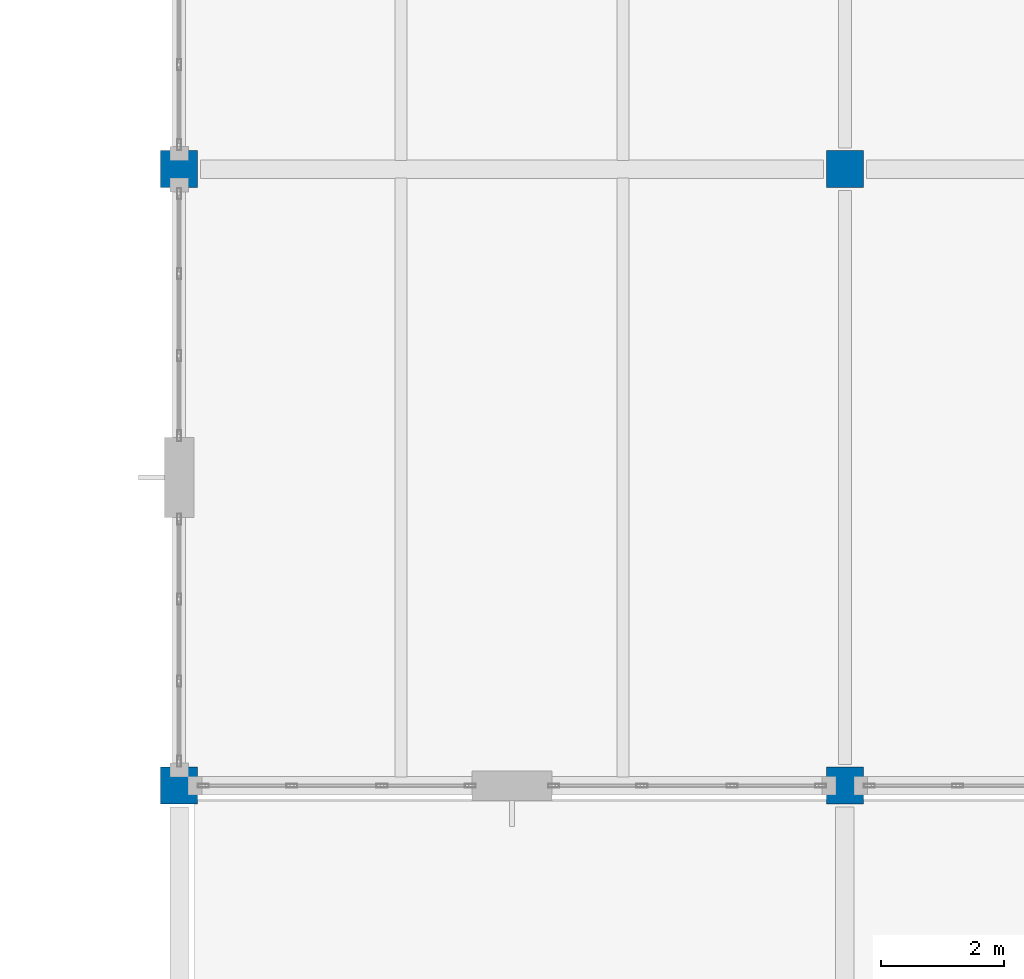
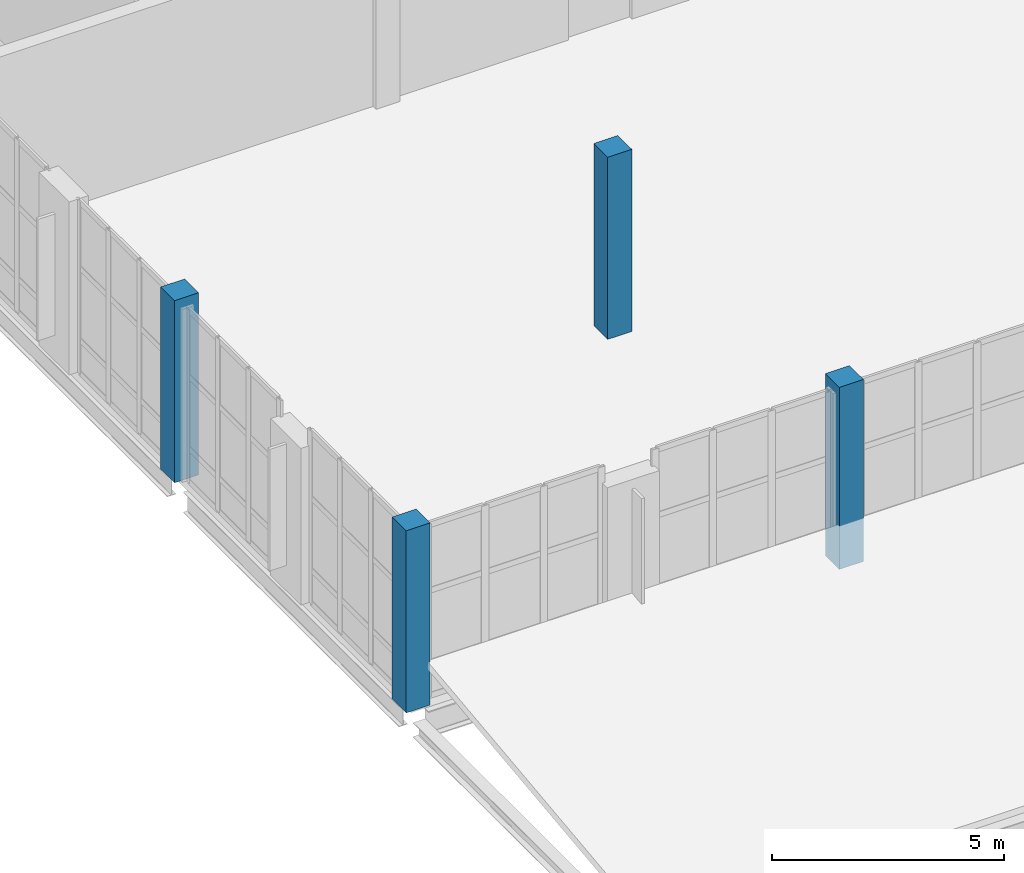
# One storey, part 3 of 100: 4 columns.
"""IFC4 building model written with IfcOpenShell, lengths in metres."""

from ifc_helpers import new_model, si_unit, direction, frame, origin, origin_2d, place, context, subcontext, project, spatial, rectangle, extrude, material, material_profile, profile_set, type_object, element, save


model = new_model("IFC4")

# Units and contexts
model_context = context("Model", 3, precision=1e-05, world=origin(), true_north=direction((0.0, 1.0)))
body_context = subcontext(model_context, "Body", "Model", "MODEL_VIEW")
ifc_project = project(units=[si_unit("LENGTHUNIT", "METRE"), si_unit("AREAUNIT", "SQUARE_METRE"), si_unit("VOLUMEUNIT", "CUBIC_METRE"), si_unit("PLANEANGLEUNIT", "RADIAN"), si_unit("MASSUNIT", "GRAM", prefix="KILO")], contexts=[model_context])

# Site, building, storey
site_placement = place(None, origin())
site = spatial("IfcSite", under=ifc_project, at=site_placement, CompositionType="ELEMENT")
building_placement = place(site_placement, origin())
building = spatial("IfcBuilding", under=site, at=building_placement, Name="Tasgan Crest Museum", CompositionType="ELEMENT")
storey_placement = place(building_placement, frame((0.0, 0.0, 9.60009765625)))
storey = spatial("IfcBuildingStorey", under=building, at=storey_placement, Name="L02", CompositionType="ELEMENT", Elevation=9.60009765625)

# Columns
ifc_material = material(Name="Concrete C40/50", Category="concrete")
ifc_material_profile = material_profile(ifc_material, rectangle(XDim=0.60009765625, YDim=0.60009765625, at=origin_2d()), Name="RC 600x600")
ifc_profile_set = profile_set([ifc_material_profile], Name="Concrete C40/50")
column_type = type_object("IfcColumnType", Name="COL-RC600", PredefinedType="COLUMN", material=ifc_profile_set)
for number, where, z_axis, x_axis, name in (
    (1, (108.0, 20.0, 0.0), (0.0, 0.0, 1.0), (1.0, 0.0, 0.0), "Column 11/C L02"),
    (2, (108.0, 30.0, 0.0), (0.0, 0.0, 1.0), (1.0, 0.0, 0.0), "Column 11/D L02"),
    (3, (118.800048828125, 20.0, 0.0), (0.0, 0.0, 1.0), (1.0, 0.0, 0.0), "Column 12/C L02"),
    (4, (118.800048828125, 30.0, 0.0), (0.0, 0.0, 1.0), (1.0, 0.0, 0.0), "Column 12/D L02"),
):
    element("IfcColumn", number, at=place(storey_placement, frame(where, z_axis=z_axis, x_axis=x_axis)), inside=storey, type_object=column_type, Name=name, PredefinedType="COLUMN", context=body_context, shape_type="SweptSolid", body=[
        extrude(rectangle(XDim=0.60009765625, YDim=0.60009765625, at=origin_2d()), origin(), (0.0, 0.0, 1.0), 4.7998046875),
    ])

save(model, "model.ifc")
